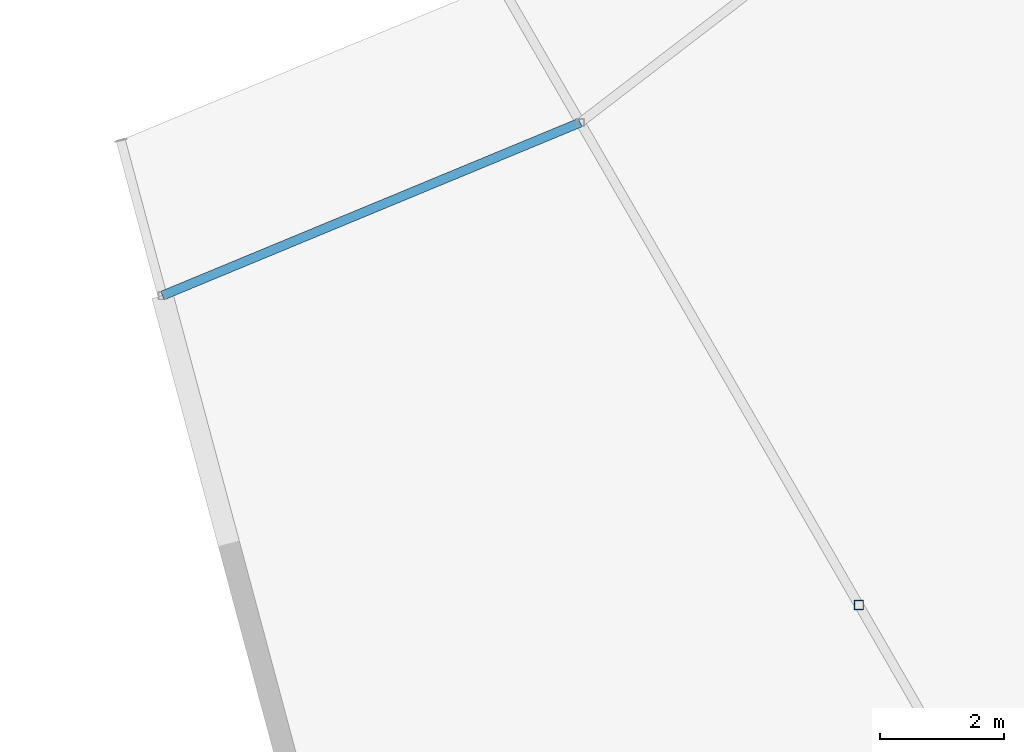
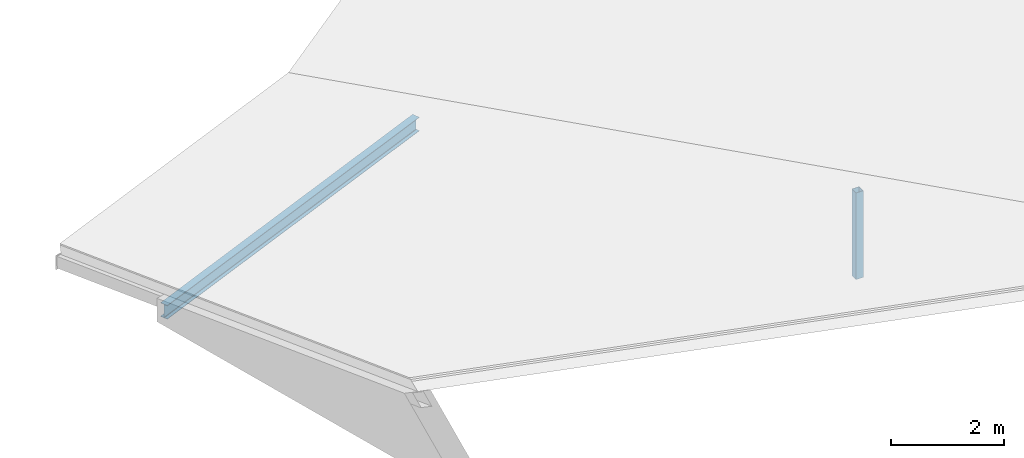
# One storey, part 55 of 185: 1 beam, 1 member.
"""IFC4 building model written with IfcOpenShell, lengths in metres."""

from ifc_helpers import new_model, si_unit, direction, frame, origin, origin_2d, place, context, subcontext, project, spatial, hollow_rectangle, i_section, extrude, material, material_profile, profile_set, type_object, element, save


model = new_model("IFC4")

# Units and contexts
model_context = context("Model", 3, precision=1e-05, world=origin(), true_north=direction((0.0, 1.0)))
body_context = subcontext(model_context, "Body", "Model", "MODEL_VIEW")
ifc_project = project(units=[si_unit("LENGTHUNIT", "METRE"), si_unit("AREAUNIT", "SQUARE_METRE"), si_unit("VOLUMEUNIT", "CUBIC_METRE"), si_unit("PLANEANGLEUNIT", "RADIAN"), si_unit("MASSUNIT", "GRAM", prefix="KILO")], contexts=[model_context])

# Site, building, storey
site_placement = place(None, origin())
site = spatial("IfcSite", under=ifc_project, at=site_placement, CompositionType="ELEMENT")
building_placement = place(site_placement, origin())
building = spatial("IfcBuilding", under=site, at=building_placement, Name="Vondelvale Polytechnic", CompositionType="ELEMENT")
storey_placement = place(building_placement, frame((0.0, 0.0, 9.60009765625)))
storey = spatial("IfcBuildingStorey", under=building, at=storey_placement, Name="L02", CompositionType="ELEMENT", Elevation=9.60009765625)

# Beam
ifc_material_1 = material(Name="Steel 300PLUS (fy = 300 MPa)", Category="steel")
ifc_material_profile_1 = material_profile(ifc_material_1, i_section(OverallWidth=0.14892578125, OverallDepth=0.298095703125, WebThickness=0.005615234375, FlangeThickness=0.008056640625, FilletRadius=0.011474609375, at=origin_2d()), Name="310UB32.0")
ifc_profile_set_1 = profile_set([ifc_material_profile_1], Name="Steel 300PLUS (fy = 300 MPa)")
beam_type = type_object("IfcBeamType", Name="BM-UB310L", PredefinedType="BEAM", material=ifc_profile_set_1)
beam_placement = place(storey_placement, frame((109.246826171875, 44.9541015625, 0.16259765625), z_axis=(0.923886161226, 0.382667428841, 0.0), x_axis=(-0.382667428841, 0.923886161226, 0.0)))
element("IfcBeam", 1, at=beam_placement, inside=storey, type_object=beam_type, Name="L02 RE B-25", PredefinedType="BEAM", context=body_context, shape_type="SweptSolid", body=[
    extrude(i_section(OverallWidth=0.14892578125, OverallDepth=0.298095703125, WebThickness=0.005615234375, FlangeThickness=0.008056640625, FilletRadius=0.011474609375, at=origin_2d()), origin(), (0.0, 0.0, 1.0), 7.3095703125),
])

# Member
ifc_material_2 = material(Name="Steel C350L0 (fy = 350 MPa)", Category="steel")
ifc_material_profile_2 = material_profile(ifc_material_2, hollow_rectangle(XDim=0.14990234375, YDim=0.14990234375, WallThickness=0.006103515625, at=origin_2d()), Name="150x150x6.0SHS")
ifc_profile_set_2 = profile_set([ifc_material_profile_2], Name="Steel C350L0 (fy = 350 MPa)")
member_type = type_object("IfcMemberType", Name="ROOF TRUSS POST 150SHS", PredefinedType="POST", material=ifc_profile_set_2)
member_placement = place(storey_placement, frame((120.5, 39.95703125, 0.0), z_axis=(0.0, 0.0, 1.0), x_axis=(1.0, 0.0, 0.0)))
element("IfcMember", 2, at=member_placement, inside=storey, type_object=member_type, Name="Ring mid roof post 20", PredefinedType="POST", context=body_context, shape_type="SweptSolid", body=[
    extrude(hollow_rectangle(XDim=0.14990234375, YDim=0.14990234375, WallThickness=0.006103515625, at=origin_2d()), origin(), (0.0, 0.0, 1.0), 1.86572265625),
])

save(model, "model.ifc")
